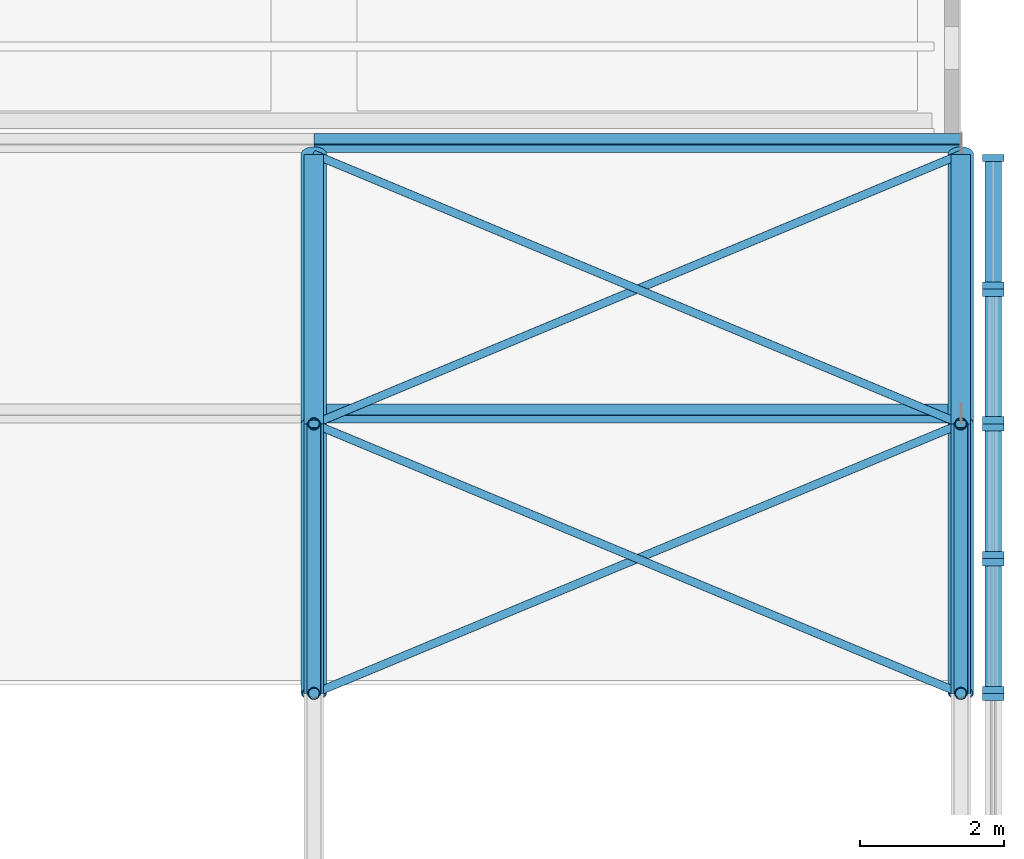
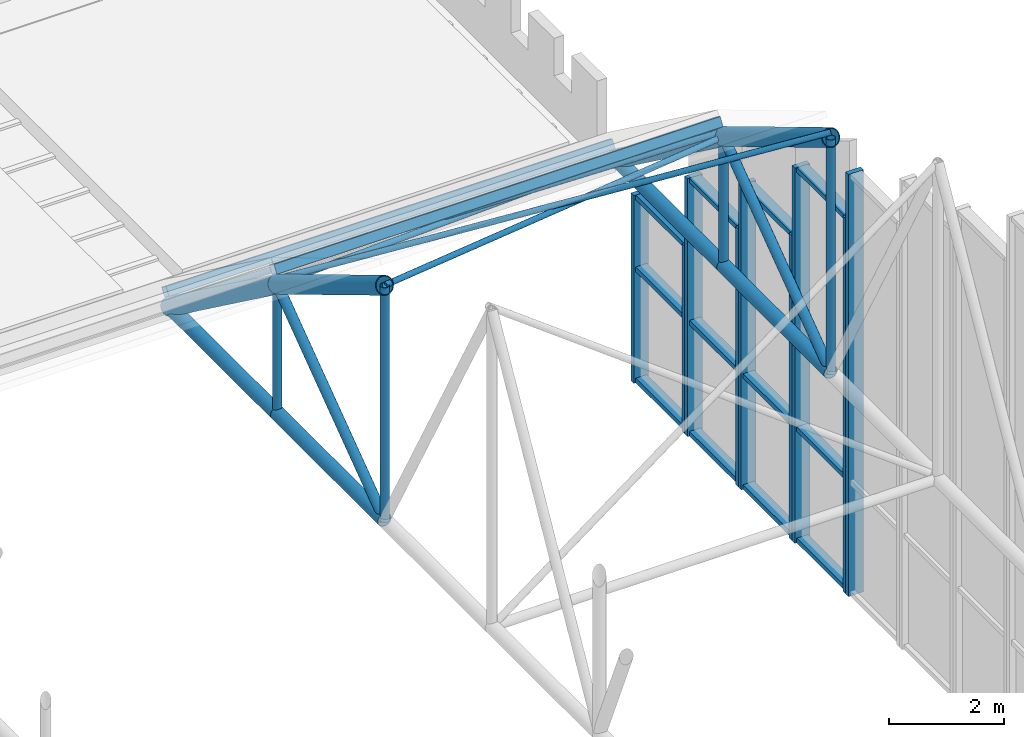
# One storey, part 84 of 153: 41 members, 5 elements without a shape of their own.
"""IFC4 building model written with IfcOpenShell, lengths in metres."""

from ifc_helpers import new_model, si_unit, direction, frame, origin, origin_2d, place, context, subcontext, project, spatial, rectangle, hollow_rectangle, hollow_circle, extrude, material, material_profile, profile_set, type_object, element, aggregate, save


model = new_model("IFC4")

# Units and contexts
model_context = context("Model", 3, precision=1e-05, world=origin(), true_north=direction((0.0, 1.0)))
body_context = subcontext(model_context, "Body", "Model", "MODEL_VIEW")
ifc_project = project(units=[si_unit("LENGTHUNIT", "METRE"), si_unit("AREAUNIT", "SQUARE_METRE"), si_unit("VOLUMEUNIT", "CUBIC_METRE"), si_unit("PLANEANGLEUNIT", "RADIAN"), si_unit("MASSUNIT", "GRAM", prefix="KILO")], contexts=[model_context])

# Site, building, storey
site_placement = place(None, origin())
site = spatial("IfcSite", under=ifc_project, at=site_placement, CompositionType="ELEMENT")
building_placement = place(site_placement, origin())
building = spatial("IfcBuilding", under=site, at=building_placement, Name="Baradari Gate Terminus", CompositionType="ELEMENT")
storey_placement = place(building_placement, frame((0.0, 0.0, 11.699951171875)))
storey = spatial("IfcBuildingStorey", under=building, at=storey_placement, Name="L02", CompositionType="ELEMENT", Elevation=11.699951171875)

# Curtain wall, members
ifc_material_1 = material(Name="Aluminium 6063-T6", Category="aluminium")
curtain_wall_type_1 = type_object("IfcCurtainWallType", Name="Curtain wall CW-14 gable screen, other height", PredefinedType="NOTDEFINED", material=ifc_material_1)
curtain_wall_1_placement = place(storey_placement, origin())
curtain_wall_1 = element("IfcCurtainWall", 1, at=curtain_wall_1_placement, inside=storey, type_object=curtain_wall_type_1, Name="Gable glazing curtain wall CW-14 cell 12b", PredefinedType="NOTDEFINED")
ifc_material_2 = material(Name="Aluminium 6063-T6", Category="aluminium")
ifc_material_profile_1 = material_profile(ifc_material_2, rectangle(XDim=0.300048828125, YDim=0.10009765625, at=origin_2d()), Name="CM-14 100X300")
ifc_profile_set_1 = profile_set([ifc_material_profile_1], Name="Aluminium 6063-T6")
member_type_1 = type_object("IfcMemberType", Name="Curtain wall mullion CM-14 100x300", PredefinedType="MULLION", material=ifc_profile_set_1)
member_1_placement = place(storey_placement, frame((243.449951171875, 79.175048828125, -4.699951171875), z_axis=(0.0, 0.0, 1.0), x_axis=(-1.0, 0.0, 0.0)))
member_1 = element("IfcMember", 2, at=member_1_placement, type_object=member_type_1, Name="CW-14 mullion 1", PredefinedType="MULLION", context=body_context, shape_type="SweptSolid", body=[
    extrude(rectangle(XDim=0.300048828125, YDim=0.10009765625, at=origin_2d()), origin(), (0.0, 0.0, 1.0), 4.0),
])
member_2_placement = place(storey_placement, frame((243.449951171875, 80.949951171875, -4.699951171875), z_axis=(0.0, 0.0, 1.0), x_axis=(-1.0, 0.0, 0.0)))
member_2 = element("IfcMember", 3, at=member_2_placement, type_object=member_type_1, Name="CW-14 mullion 2", PredefinedType="MULLION", context=body_context, shape_type="SweptSolid", body=[
    extrude(rectangle(XDim=0.300048828125, YDim=0.10009765625, at=origin_2d()), origin(), (0.0, 0.0, 1.0), 4.0),
])

ifc_material_3 = material(Name="Aluminium 6063-T6", Category="aluminium")
curtain_wall_type_2 = type_object("IfcCurtainWallType", Name="Curtain wall CW-15 gable screen, other height", PredefinedType="NOTDEFINED", material=ifc_material_3)
curtain_wall_2_placement = place(storey_placement, origin())
curtain_wall_2 = element("IfcCurtainWall", 4, at=curtain_wall_2_placement, inside=storey, type_object=curtain_wall_type_2, Name="Gable glazing curtain wall CW-15 cell 12a", PredefinedType="NOTDEFINED")
ifc_material_4 = material(Name="Aluminium 6063-T6", Category="aluminium")
ifc_material_profile_2 = material_profile(ifc_material_4, rectangle(XDim=0.300048828125, YDim=0.10009765625, at=origin_2d()), Name="CM-15 100X300")
ifc_profile_set_2 = profile_set([ifc_material_profile_2], Name="Aluminium 6063-T6")
member_type_2 = type_object("IfcMemberType", Name="Curtain wall mullion CM-15 100x300", PredefinedType="MULLION", material=ifc_profile_set_2)
member_3_placement = place(storey_placement, frame((243.449951171875, 77.300048828125, -4.699951171875), z_axis=(0.0, 0.0, 1.0), x_axis=(-1.0, 0.0, 0.0)))
member_3 = element("IfcMember", 5, at=member_3_placement, type_object=member_type_2, Name="CW-15 mullion 1", PredefinedType="MULLION", context=body_context, shape_type="SweptSolid", body=[
    extrude(rectangle(XDim=0.300048828125, YDim=0.10009765625, at=origin_2d()), origin(), (0.0, 0.0, 1.0), 5.5),
])
member_4_placement = place(storey_placement, frame((243.449951171875, 79.074951171875, -4.699951171875), z_axis=(0.0, 0.0, 1.0), x_axis=(-1.0, 0.0, 0.0)))
member_4 = element("IfcMember", 6, at=member_4_placement, type_object=member_type_2, Name="CW-15 mullion 2", PredefinedType="MULLION", context=body_context, shape_type="SweptSolid", body=[
    extrude(rectangle(XDim=0.300048828125, YDim=0.10009765625, at=origin_2d()), origin(), (0.0, 0.0, 1.0), 5.5),
])

ifc_material_5 = material(Name="Aluminium 6063-T6", Category="aluminium")
curtain_wall_type_3 = type_object("IfcCurtainWallType", Name="Curtain wall CW-16 gable screen, other height", PredefinedType="NOTDEFINED", material=ifc_material_5)
curtain_wall_3_placement = place(storey_placement, origin())
curtain_wall_3 = element("IfcCurtainWall", 7, at=curtain_wall_3_placement, inside=storey, type_object=curtain_wall_type_3, Name="Gable glazing curtain wall CW-16 cell 11b", PredefinedType="NOTDEFINED")
ifc_material_6 = material(Name="Aluminium 6063-T6", Category="aluminium")
ifc_material_profile_3 = material_profile(ifc_material_6, rectangle(XDim=0.300048828125, YDim=0.10009765625, at=origin_2d()), Name="CM-16 100X300")
ifc_profile_set_3 = profile_set([ifc_material_profile_3], Name="Aluminium 6063-T6")
member_type_3 = type_object("IfcMemberType", Name="Curtain wall mullion CM-16 100x300", PredefinedType="MULLION", material=ifc_profile_set_3)
member_5_placement = place(storey_placement, frame((243.449951171875, 75.425048828125, -4.699951171875), z_axis=(0.0, 0.0, 1.0), x_axis=(-1.0, 0.0, 0.0)))
member_5 = element("IfcMember", 8, at=member_5_placement, type_object=member_type_3, Name="CW-16 mullion 1", PredefinedType="MULLION", context=body_context, shape_type="SweptSolid", body=[
    extrude(rectangle(XDim=0.300048828125, YDim=0.10009765625, at=origin_2d()), origin(), (0.0, 0.0, 1.0), 6.5),
])
member_6_placement = place(storey_placement, frame((243.449951171875, 77.199951171875, -4.699951171875), z_axis=(0.0, 0.0, 1.0), x_axis=(-1.0, 0.0, 0.0)))
member_6 = element("IfcMember", 9, at=member_6_placement, type_object=member_type_3, Name="CW-16 mullion 2", PredefinedType="MULLION", context=body_context, shape_type="SweptSolid", body=[
    extrude(rectangle(XDim=0.300048828125, YDim=0.10009765625, at=origin_2d()), origin(), (0.0, 0.0, 1.0), 6.5),
])

ifc_material_7 = material(Name="Aluminium 6063-T6", Category="aluminium")
curtain_wall_type_4 = type_object("IfcCurtainWallType", Name="Curtain wall CW-17 gable screen, other height", PredefinedType="NOTDEFINED", material=ifc_material_7)
curtain_wall_4_placement = place(storey_placement, origin())
curtain_wall_4 = element("IfcCurtainWall", 10, at=curtain_wall_4_placement, inside=storey, type_object=curtain_wall_type_4, Name="Gable glazing curtain wall CW-17 cell 11a", PredefinedType="NOTDEFINED")
ifc_material_8 = material(Name="Aluminium 6063-T6", Category="aluminium")
ifc_material_profile_4 = material_profile(ifc_material_8, rectangle(XDim=0.300048828125, YDim=0.10009765625, at=origin_2d()), Name="CM-17 100X300")
ifc_profile_set_4 = profile_set([ifc_material_profile_4], Name="Aluminium 6063-T6")
member_type_4 = type_object("IfcMemberType", Name="Curtain wall mullion CM-17 100x300", PredefinedType="MULLION", material=ifc_profile_set_4)
member_7_placement = place(storey_placement, frame((243.449951171875, 73.550048828125, -4.699951171875), z_axis=(0.0, 0.0, 1.0), x_axis=(-1.0, 0.0, 0.0)))
member_7 = element("IfcMember", 11, at=member_7_placement, type_object=member_type_4, Name="CW-17 mullion 1", PredefinedType="MULLION", context=body_context, shape_type="SweptSolid", body=[
    extrude(rectangle(XDim=0.300048828125, YDim=0.10009765625, at=origin_2d()), origin(), (0.0, 0.0, 1.0), 8.0),
])
member_8_placement = place(storey_placement, frame((243.449951171875, 75.324951171875, -4.699951171875), z_axis=(0.0, 0.0, 1.0), x_axis=(-1.0, 0.0, 0.0)))
member_8 = element("IfcMember", 12, at=member_8_placement, type_object=member_type_4, Name="CW-17 mullion 2", PredefinedType="MULLION", context=body_context, shape_type="SweptSolid", body=[
    extrude(rectangle(XDim=0.300048828125, YDim=0.10009765625, at=origin_2d()), origin(), (0.0, 0.0, 1.0), 8.0),
])

# Curtain wall, member
ifc_material_9 = material(Name="Aluminium 6063-T6", Category="aluminium")
curtain_wall_type_5 = type_object("IfcCurtainWallType", Name="Curtain wall CW-18 gable screen, other height", PredefinedType="NOTDEFINED", material=ifc_material_9)
curtain_wall_5_placement = place(storey_placement, origin())
curtain_wall_5 = element("IfcCurtainWall", 13, at=curtain_wall_5_placement, inside=storey, type_object=curtain_wall_type_5, Name="Gable glazing curtain wall CW-18 cell 10b", PredefinedType="NOTDEFINED")
ifc_material_10 = material(Name="Aluminium 6063-T6", Category="aluminium")
ifc_material_profile_5 = material_profile(ifc_material_10, rectangle(XDim=0.300048828125, YDim=0.10009765625, at=origin_2d()), Name="CM-18 100X300")
ifc_profile_set_5 = profile_set([ifc_material_profile_5], Name="Aluminium 6063-T6")
member_type_5 = type_object("IfcMemberType", Name="Curtain wall mullion CM-18 100x300", PredefinedType="MULLION", material=ifc_profile_set_5)
member_9_placement = place(storey_placement, frame((243.449951171875, 73.449951171875, -4.699951171875), z_axis=(0.0, 0.0, 1.0), x_axis=(-1.0, 0.0, 0.0)))
member_9 = element("IfcMember", 14, at=member_9_placement, type_object=member_type_5, Name="CW-18 mullion 2", PredefinedType="MULLION", context=body_context, shape_type="SweptSolid", body=[
    extrude(rectangle(XDim=0.300048828125, YDim=0.10009765625, at=origin_2d()), origin(), (0.0, 0.0, 1.0), 9.0),
])
aggregate(curtain_wall_5, [member_9])

# Member
ifc_material_11 = material(Name="Aluminium 6063-T6", Category="aluminium")
ifc_material_profile_6 = material_profile(ifc_material_11, rectangle(XDim=0.22509765625, YDim=0.10009765625, at=origin_2d()), Name="CT-14 100X225")
ifc_profile_set_6 = profile_set([ifc_material_profile_6], Name="Aluminium 6063-T6")
member_type_6 = type_object("IfcMemberType", Name="Curtain wall transom CT-14 100x225", PredefinedType="USERDEFINED", material=ifc_profile_set_6)
member_10_placement = place(storey_placement, frame((243.449951171875, 79.22509765625, -4.64990234375), z_axis=(0.0, 1.0, 0.0), x_axis=(-1.0, 0.0, 0.0)))
member_10 = element("IfcMember", 15, at=member_10_placement, type_object=member_type_6, Name="CW-14 transom 1.1", ObjectType="TRANSOM", PredefinedType="USERDEFINED", context=body_context, shape_type="SweptSolid", body=[
    extrude(rectangle(XDim=0.22509765625, YDim=0.10009765625, at=origin_2d()), origin(), (0.0, 0.0, 1.0), 1.6748046875),
])

member_11_placement = place(storey_placement, frame((243.449951171875, 79.22509765625, -2.28173828125), z_axis=(0.0, 1.0, 0.0), x_axis=(-1.0, 0.0, 0.0)))
member_11 = element("IfcMember", 16, at=member_11_placement, type_object=member_type_6, Name="CW-14 transom 1.2", ObjectType="TRANSOM", PredefinedType="USERDEFINED", context=body_context, shape_type="SweptSolid", body=[
    extrude(rectangle(XDim=0.22509765625, YDim=0.10009765625, at=origin_2d()), origin(), (0.0, 0.0, 1.0), 1.6748046875),
])

member_12_placement = place(storey_placement, frame((243.449951171875, 79.22509765625, -0.75), z_axis=(0.0, 1.0, 0.0), x_axis=(-1.0, 0.0, 0.0)))
member_12 = element("IfcMember", 17, at=member_12_placement, type_object=member_type_6, Name="CW-14 transom 1.3", ObjectType="TRANSOM", PredefinedType="USERDEFINED", context=body_context, shape_type="SweptSolid", body=[
    extrude(rectangle(XDim=0.22509765625, YDim=0.10009765625, at=origin_2d()), origin(), (0.0, 0.0, 1.0), 1.6748046875),
])

aggregate(curtain_wall_1, [member_1, member_2, member_10, member_11, member_12])

ifc_material_12 = material(Name="Aluminium 6063-T6", Category="aluminium")
ifc_material_profile_7 = material_profile(ifc_material_12, rectangle(XDim=0.22509765625, YDim=0.10009765625, at=origin_2d()), Name="CT-15 100X225")
ifc_profile_set_7 = profile_set([ifc_material_profile_7], Name="Aluminium 6063-T6")
member_type_7 = type_object("IfcMemberType", Name="Curtain wall transom CT-15 100x225", PredefinedType="USERDEFINED", material=ifc_profile_set_7)
member_13_placement = place(storey_placement, frame((243.449951171875, 77.35009765625, -4.64990234375), z_axis=(0.0, 1.0, 0.0), x_axis=(-1.0, 0.0, 0.0)))
member_13 = element("IfcMember", 18, at=member_13_placement, type_object=member_type_7, Name="CW-15 transom 1.1", ObjectType="TRANSOM", PredefinedType="USERDEFINED", context=body_context, shape_type="SweptSolid", body=[
    extrude(rectangle(XDim=0.22509765625, YDim=0.10009765625, at=origin_2d()), origin(), (0.0, 0.0, 1.0), 1.6748046875),
])

member_14_placement = place(storey_placement, frame((243.449951171875, 77.35009765625, -2.28173828125), z_axis=(0.0, 1.0, 0.0), x_axis=(-1.0, 0.0, 0.0)))
member_14 = element("IfcMember", 19, at=member_14_placement, type_object=member_type_7, Name="CW-15 transom 1.2", ObjectType="TRANSOM", PredefinedType="USERDEFINED", context=body_context, shape_type="SweptSolid", body=[
    extrude(rectangle(XDim=0.22509765625, YDim=0.10009765625, at=origin_2d()), origin(), (0.0, 0.0, 1.0), 1.6748046875),
])

member_15_placement = place(storey_placement, frame((243.449951171875, 77.35009765625, 0.75), z_axis=(0.0, 1.0, 0.0), x_axis=(-1.0, 0.0, 0.0)))
member_15 = element("IfcMember", 20, at=member_15_placement, type_object=member_type_7, Name="CW-15 transom 1.3", ObjectType="TRANSOM", PredefinedType="USERDEFINED", context=body_context, shape_type="SweptSolid", body=[
    extrude(rectangle(XDim=0.22509765625, YDim=0.10009765625, at=origin_2d()), origin(), (0.0, 0.0, 1.0), 1.6748046875),
])

aggregate(curtain_wall_2, [member_3, member_4, member_13, member_14, member_15])

ifc_material_13 = material(Name="Aluminium 6063-T6", Category="aluminium")
ifc_material_profile_8 = material_profile(ifc_material_13, rectangle(XDim=0.22509765625, YDim=0.10009765625, at=origin_2d()), Name="CT-16 100X225")
ifc_profile_set_8 = profile_set([ifc_material_profile_8], Name="Aluminium 6063-T6")
member_type_8 = type_object("IfcMemberType", Name="Curtain wall transom CT-16 100x225", PredefinedType="USERDEFINED", material=ifc_profile_set_8)
member_16_placement = place(storey_placement, frame((243.449951171875, 75.47509765625, -4.64990234375), z_axis=(0.0, 1.0, 0.0), x_axis=(-1.0, 0.0, 0.0)))
member_16 = element("IfcMember", 21, at=member_16_placement, type_object=member_type_8, Name="CW-16 transom 1.1", ObjectType="TRANSOM", PredefinedType="USERDEFINED", context=body_context, shape_type="SweptSolid", body=[
    extrude(rectangle(XDim=0.22509765625, YDim=0.10009765625, at=origin_2d()), origin(), (0.0, 0.0, 1.0), 1.6748046875),
])

member_17_placement = place(storey_placement, frame((243.449951171875, 75.47509765625, -2.28173828125), z_axis=(0.0, 1.0, 0.0), x_axis=(-1.0, 0.0, 0.0)))
member_17 = element("IfcMember", 22, at=member_17_placement, type_object=member_type_8, Name="CW-16 transom 1.2", ObjectType="TRANSOM", PredefinedType="USERDEFINED", context=body_context, shape_type="SweptSolid", body=[
    extrude(rectangle(XDim=0.22509765625, YDim=0.10009765625, at=origin_2d()), origin(), (0.0, 0.0, 1.0), 1.6748046875),
])

member_18_placement = place(storey_placement, frame((243.449951171875, 75.47509765625, 1.75), z_axis=(0.0, 1.0, 0.0), x_axis=(-1.0, 0.0, 0.0)))
member_18 = element("IfcMember", 23, at=member_18_placement, type_object=member_type_8, Name="CW-16 transom 1.3", ObjectType="TRANSOM", PredefinedType="USERDEFINED", context=body_context, shape_type="SweptSolid", body=[
    extrude(rectangle(XDim=0.22509765625, YDim=0.10009765625, at=origin_2d()), origin(), (0.0, 0.0, 1.0), 1.6748046875),
])

aggregate(curtain_wall_3, [member_5, member_6, member_16, member_17, member_18])

ifc_material_14 = material(Name="Aluminium 6063-T6", Category="aluminium")
ifc_material_profile_9 = material_profile(ifc_material_14, rectangle(XDim=0.22509765625, YDim=0.10009765625, at=origin_2d()), Name="CT-17 100X225")
ifc_profile_set_9 = profile_set([ifc_material_profile_9], Name="Aluminium 6063-T6")
member_type_9 = type_object("IfcMemberType", Name="Curtain wall transom CT-17 100x225", PredefinedType="USERDEFINED", material=ifc_profile_set_9)
member_19_placement = place(storey_placement, frame((243.449951171875, 73.60009765625, -4.64990234375), z_axis=(0.0, 1.0, 0.0), x_axis=(-1.0, 0.0, 0.0)))
member_19 = element("IfcMember", 24, at=member_19_placement, type_object=member_type_9, Name="CW-17 transom 1.1", ObjectType="TRANSOM", PredefinedType="USERDEFINED", context=body_context, shape_type="SweptSolid", body=[
    extrude(rectangle(XDim=0.22509765625, YDim=0.10009765625, at=origin_2d()), origin(), (0.0, 0.0, 1.0), 1.6748046875),
])

member_20_placement = place(storey_placement, frame((243.449951171875, 73.60009765625, -2.28173828125), z_axis=(0.0, 1.0, 0.0), x_axis=(-1.0, 0.0, 0.0)))
member_20 = element("IfcMember", 25, at=member_20_placement, type_object=member_type_9, Name="CW-17 transom 1.2", ObjectType="TRANSOM", PredefinedType="USERDEFINED", context=body_context, shape_type="SweptSolid", body=[
    extrude(rectangle(XDim=0.22509765625, YDim=0.10009765625, at=origin_2d()), origin(), (0.0, 0.0, 1.0), 1.6748046875),
])

member_21_placement = place(storey_placement, frame((243.449951171875, 73.60009765625, 3.25), z_axis=(0.0, 1.0, 0.0), x_axis=(-1.0, 0.0, 0.0)))
member_21 = element("IfcMember", 26, at=member_21_placement, type_object=member_type_9, Name="CW-17 transom 1.3", ObjectType="TRANSOM", PredefinedType="USERDEFINED", context=body_context, shape_type="SweptSolid", body=[
    extrude(rectangle(XDim=0.22509765625, YDim=0.10009765625, at=origin_2d()), origin(), (0.0, 0.0, 1.0), 1.6748046875),
])

aggregate(curtain_wall_4, [member_7, member_8, member_19, member_20, member_21])

# Members
ifc_material_15 = material(Name="Steel S355", Category="steel")
ifc_material_profile_10 = material_profile(ifc_material_15, hollow_circle(Radius=0.136474609375, WallThickness=0.012451171875, at=origin_2d()), Name="CHS 273x12.5")
ifc_profile_set_10 = profile_set([ifc_material_profile_10], Name="Steel S355")
member_type_10 = type_object("IfcMemberType", Name="Shed bottom chord CHS 273x12.5", PredefinedType="CHORD", material=ifc_profile_set_10)
for number, where, z_axis, x_axis, name in (
    (27, (234.0, 73.5, 0.136474609375), (0.0, 1.0, 0.0), (-1.0, 0.0, 0.0), "TR/L02/S234-BC10"),
    (28, (234.0, 77.25, 0.136474609375), (0.0, 1.0, 0.0), (-1.0, 0.0, 0.0), "TR/L02/S234-BC11"),
    (29, (243.0, 73.5, 0.136474609375), (0.0, 1.0, 0.0), (-1.0, 0.0, 0.0), "TR/L02/S243-BC10"),
    (30, (243.0, 77.25, 0.136474609375), (0.0, 1.0, 0.0), (-1.0, 0.0, 0.0), "TR/L02/S243-BC11"),
):
    element("IfcMember", number, at=place(storey_placement, frame(where, z_axis=z_axis, x_axis=x_axis)), inside=storey, type_object=member_type_10, Name=name, PredefinedType="CHORD", context=body_context, shape_type="SweptSolid", body=[
        extrude(hollow_circle(Radius=0.136474609375, WallThickness=0.012451171875, at=origin_2d()), origin(), (0.0, 0.0, 1.0), 3.75),
    ])
ifc_material_16 = material(Name="Steel S355", Category="steel")
ifc_material_profile_11 = material_profile(ifc_material_16, hollow_rectangle(XDim=0.199951171875, YDim=0.199951171875, WallThickness=0.008056640625, InnerFilletRadius=0.008056640625, OuterFilletRadius=0.01611328125, at=origin_2d()), Name="SHS 200x200x8")
ifc_profile_set_11 = profile_set([ifc_material_profile_11], Name="Steel S355")
member_type_11 = type_object("IfcMemberType", Name="Shed purlin SHS 200x200x8", PredefinedType="PURLIN", material=ifc_profile_set_11)
for number, where, z_axis, x_axis, name in (
    (31, (234.0, 77.397216796875, 3.10791015625), (1.0, 0.0, 0.0), (0.0, 0.832836263724, -0.55351942859), "TR/L02/B243-PU11"),
    (32, (234.0, 81.1572265625, 0.350830078125), (1.0, 0.0, 0.0), (0.0, 0.80640499586, -0.591363663621), "TR/L02/B243-PU12"),
):
    element("IfcMember", number, at=place(storey_placement, frame(where, z_axis=z_axis, x_axis=x_axis)), inside=storey, type_object=member_type_11, Name=name, PredefinedType="PURLIN", context=body_context, shape_type="SweptSolid", body=[
        extrude(hollow_rectangle(XDim=0.199951171875, YDim=0.199951171875, WallThickness=0.008056640625, InnerFilletRadius=0.008056640625, OuterFilletRadius=0.01611328125, at=origin_2d()), origin(), (0.0, 0.0, 1.0), 9.0),
    ])
ifc_material_17 = material(Name="Steel S355", Category="steel")
ifc_material_profile_12 = material_profile(ifc_material_17, hollow_circle(Radius=0.05712890625, WallThickness=0.00634765625, at=origin_2d()), Name="CHS 114.3x6.3")
ifc_profile_set_12 = profile_set([ifc_material_profile_12], Name="Steel S355")
member_type_12 = type_object("IfcMemberType", Name="Shed roof brace CHS 114.3x6.3", PredefinedType="BRACE", material=ifc_profile_set_12)
for number, where, z_axis, x_axis, name in (
    (33, (234.0, 73.5, 5.136474609375), (0.899438026795, 0.374765844498, -0.224859506699), (-0.384615384615, 0.923076923077, 0.0), "TR/L02/B243-RB10A"),
    (34, (243.0, 73.5, 5.250732421875), (-0.899438026795, 0.374765844498, -0.224859506699), (-0.384615384615, -0.923076923077, 0.0), "TR/L02/B243-RB10B"),
):
    element("IfcMember", number, at=place(storey_placement, frame(where, z_axis=z_axis, x_axis=x_axis)), inside=storey, type_object=member_type_12, Name=name, PredefinedType="BRACE", context=body_context, shape_type="SweptSolid", body=[
        extrude(hollow_circle(Radius=0.05712890625, WallThickness=0.00634765625, at=origin_2d()), origin(), (0.0, 0.0, 1.0), 10.00634765625),
    ])
for number, where, z_axis, x_axis, name in (
    (35, (234.0, 77.25, 2.886474609375), (0.888415085526, 0.370172952302, -0.271460165022), (-0.384615384615, 0.923076923077, 0.0), "TR/L02/B243-RB11A"),
    (36, (243.0, 77.25, 3.000732421875), (-0.888415085526, 0.370172952302, -0.271460165022), (-0.384615384615, -0.923076923077, 0.0), "TR/L02/B243-RB11B"),
):
    element("IfcMember", number, at=place(storey_placement, frame(where, z_axis=z_axis, x_axis=x_axis)), inside=storey, type_object=member_type_12, Name=name, PredefinedType="BRACE", context=body_context, shape_type="SweptSolid", body=[
        extrude(hollow_circle(Radius=0.05712890625, WallThickness=0.00634765625, at=origin_2d()), origin(), (0.0, 0.0, 1.0), 10.13037109375),
    ])
ifc_material_18 = material(Name="Steel S355", Category="steel")
ifc_material_profile_13 = material_profile(ifc_material_18, hollow_circle(Radius=0.177734375, WallThickness=0.01611328125, at=origin_2d()), Name="CHS 355.6x16")
ifc_profile_set_13 = profile_set([ifc_material_profile_13], Name="Steel S355")
member_type_13 = type_object("IfcMemberType", Name="Shed top chord CHS 355.6x16", PredefinedType="CHORD", material=ifc_profile_set_13)
member_22_placement = place(storey_placement, frame((234.0, 73.5, 5.136474609375), z_axis=(0.0, 0.857492925713, -0.514495755428), x_axis=(-1.0, 0.0, 0.0)))
element("IfcMember", 37, at=member_22_placement, inside=storey, type_object=member_type_13, Name="TR/L02/S234-TC10", PredefinedType="CHORD", context=body_context, shape_type="SweptSolid", body=[
    extrude(hollow_circle(Radius=0.177734375, WallThickness=0.01611328125, at=origin_2d()), origin(), (0.0, 0.0, 1.0), 4.373291015625),
])
member_23_placement = place(storey_placement, frame((234.0, 77.25, 2.886474609375), z_axis=(0.0, 0.806404995856, -0.591363663628), x_axis=(-1.0, 0.0, 0.0)))
element("IfcMember", 38, at=member_23_placement, inside=storey, type_object=member_type_13, Name="TR/L02/S234-TC11", PredefinedType="CHORD", context=body_context, shape_type="SweptSolid", body=[
    extrude(hollow_circle(Radius=0.177734375, WallThickness=0.01611328125, at=origin_2d()), origin(), (0.0, 0.0, 1.0), 4.650390625),
])
member_24_placement = place(storey_placement, frame((243.0, 73.5, 5.136474609375), z_axis=(0.0, 0.857492925713, -0.514495755428), x_axis=(-1.0, 0.0, 0.0)))
element("IfcMember", 39, at=member_24_placement, inside=storey, type_object=member_type_13, Name="TR/L02/S243-TC10", PredefinedType="CHORD", context=body_context, shape_type="SweptSolid", body=[
    extrude(hollow_circle(Radius=0.177734375, WallThickness=0.01611328125, at=origin_2d()), origin(), (0.0, 0.0, 1.0), 4.373291015625),
])
member_25_placement = place(storey_placement, frame((243.0, 77.25, 2.886474609375), z_axis=(0.0, 0.806404995856, -0.591363663628), x_axis=(-1.0, 0.0, 0.0)))
element("IfcMember", 40, at=member_25_placement, inside=storey, type_object=member_type_13, Name="TR/L02/S243-TC11", PredefinedType="CHORD", context=body_context, shape_type="SweptSolid", body=[
    extrude(hollow_circle(Radius=0.177734375, WallThickness=0.01611328125, at=origin_2d()), origin(), (0.0, 0.0, 1.0), 4.650390625),
])
ifc_material_19 = material(Name="Steel S355", Category="steel")
ifc_material_profile_14 = material_profile(ifc_material_19, hollow_circle(Radius=0.096923828125, WallThickness=0.008056640625, at=origin_2d()), Name="CHS 193.7x8")
ifc_profile_set_14 = profile_set([ifc_material_profile_14], Name="Steel S355")
member_type_14 = type_object("IfcMemberType", Name="Shed truss diagonal CHS 193.7x8", PredefinedType="BRACE", material=ifc_profile_set_14)
for number, where, z_axis, x_axis, name in (
    (41, (234.0, 77.25, 2.886474609375), (0.0, -0.806404995856, -0.591363663628), (1.0, 0.0, 0.0), "TR/L02/S234-SD10"),
    (42, (243.0, 77.25, 2.886474609375), (0.0, -0.806404995856, -0.591363663628), (1.0, 0.0, 0.0), "TR/L02/S243-SD10"),
):
    element("IfcMember", number, at=place(storey_placement, frame(where, z_axis=z_axis, x_axis=x_axis)), inside=storey, type_object=member_type_14, Name=name, PredefinedType="BRACE", context=body_context, shape_type="SweptSolid", body=[
        extrude(hollow_circle(Radius=0.096923828125, WallThickness=0.008056640625, at=origin_2d()), origin(), (0.0, 0.0, 1.0), 4.650390625),
    ])
ifc_material_20 = material(Name="Steel S355", Category="steel")
ifc_material_profile_15 = material_profile(ifc_material_20, hollow_circle(Radius=0.084228515625, WallThickness=0.008056640625, at=origin_2d()), Name="CHS 168.3x8")
ifc_profile_set_15 = profile_set([ifc_material_profile_15], Name="Steel S355")
member_type_15 = type_object("IfcMemberType", Name="Shed truss post CHS 168.3x8", PredefinedType="POST", material=ifc_profile_set_15)
member_26_placement = place(storey_placement, frame((234.0, 73.5, 0.136474609375), z_axis=(0.0, 0.0, 1.0), x_axis=(1.0, 0.0, 0.0)))
element("IfcMember", 43, at=member_26_placement, inside=storey, type_object=member_type_15, Name="TR/L02/S234-SP10", PredefinedType="POST", context=body_context, shape_type="SweptSolid", body=[
    extrude(hollow_circle(Radius=0.084228515625, WallThickness=0.008056640625, at=origin_2d()), origin(), (0.0, 0.0, 1.0), 5.0),
])
member_27_placement = place(storey_placement, frame((234.0, 77.25, 0.136474609375), z_axis=(0.0, 0.0, 1.0), x_axis=(1.0, 0.0, 0.0)))
element("IfcMember", 44, at=member_27_placement, inside=storey, type_object=member_type_15, Name="TR/L02/S234-SP11", PredefinedType="POST", context=body_context, shape_type="SweptSolid", body=[
    extrude(hollow_circle(Radius=0.084228515625, WallThickness=0.008056640625, at=origin_2d()), origin(), (0.0, 0.0, 1.0), 2.75),
])
member_28_placement = place(storey_placement, frame((243.0, 73.5, 0.136474609375), z_axis=(0.0, 0.0, 1.0), x_axis=(1.0, 0.0, 0.0)))
element("IfcMember", 45, at=member_28_placement, inside=storey, type_object=member_type_15, Name="TR/L02/S243-SP10", PredefinedType="POST", context=body_context, shape_type="SweptSolid", body=[
    extrude(hollow_circle(Radius=0.084228515625, WallThickness=0.008056640625, at=origin_2d()), origin(), (0.0, 0.0, 1.0), 5.0),
])
member_29_placement = place(storey_placement, frame((243.0, 77.25, 0.136474609375), z_axis=(0.0, 0.0, 1.0), x_axis=(1.0, 0.0, 0.0)))
element("IfcMember", 46, at=member_29_placement, inside=storey, type_object=member_type_15, Name="TR/L02/S243-SP11", PredefinedType="POST", context=body_context, shape_type="SweptSolid", body=[
    extrude(hollow_circle(Radius=0.084228515625, WallThickness=0.008056640625, at=origin_2d()), origin(), (0.0, 0.0, 1.0), 2.75),
])

save(model, "model.ifc")
